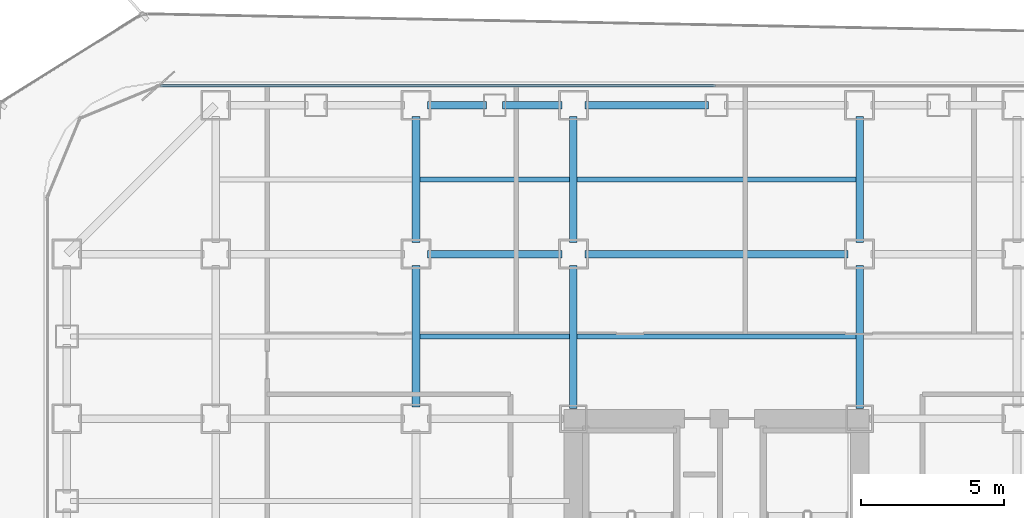
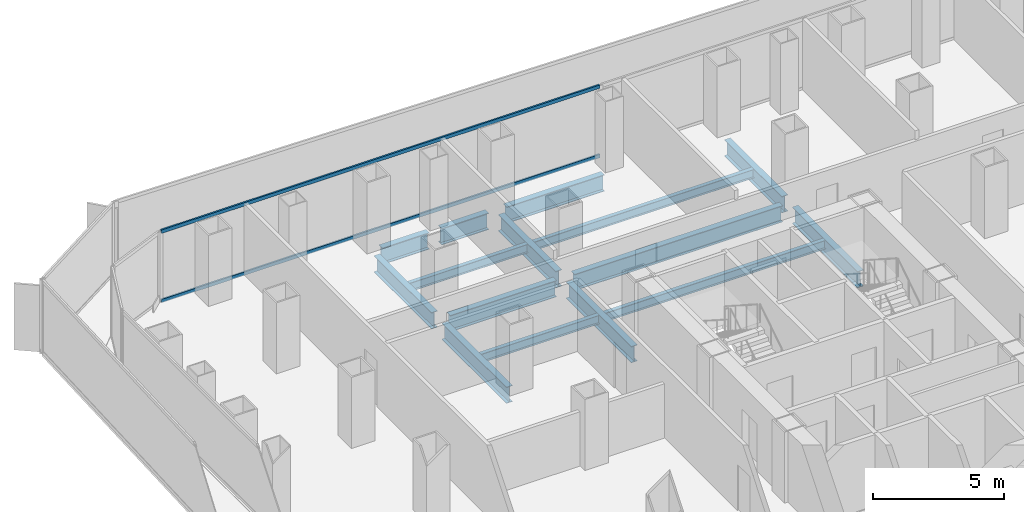
# One storey, part 12 of 22: 15 beams, 2 members, 1 element without a shape of its own.
"""IFC4 building model written with IfcOpenShell, lengths in metres."""

from ifc_helpers import new_model, si_unit, direction, frame, origin, origin_2d, place, context, subcontext, project, spatial, hollow_rectangle, i_section, extrude, source, transform, mapped, material, layer, layer_set, material_profile, profile_set, type_object, element, aggregate, save


model = new_model("IFC4")

# Units and contexts
model_context = context("Model", 3, precision=1e-05, world=origin(), true_north=direction((0.0, 1.0)))
body_context = subcontext(model_context, "Body", "Model", "MODEL_VIEW")
ifc_project = project(units=[si_unit("LENGTHUNIT", "METRE"), si_unit("AREAUNIT", "SQUARE_METRE"), si_unit("VOLUMEUNIT", "CUBIC_METRE"), si_unit("PLANEANGLEUNIT", "RADIAN"), si_unit("MASSUNIT", "GRAM", prefix="KILO")], contexts=[model_context])

# Site, building, storey
site_placement = place(None, origin())
site = spatial("IfcSite", under=ifc_project, at=site_placement, CompositionType="ELEMENT")
building_placement = place(site_placement, origin())
building = spatial("IfcBuilding", under=site, at=building_placement, Name="Kolveth Station Tower", CompositionType="ELEMENT")
storey_placement = place(building_placement, frame((0.0, 0.0, 69.300048828125)))
storey = spatial("IfcBuildingStorey", under=building, at=storey_placement, Name="L18", CompositionType="ELEMENT", Elevation=69.300048828125)

# Beams
ifc_material_1 = material(Name="Steel S355", Category="steel")
ifc_material_profile_1 = material_profile(ifc_material_1, i_section(OverallWidth=0.26904296875, OverallDepth=0.77490234375, WebThickness=0.01708984375, FlangeThickness=0.0283203125, at=origin_2d()), Name="W760x220")
ifc_profile_set_1 = profile_set([ifc_material_profile_1], Name="Steel S355")
beam_type_1 = type_object("IfcBeamType", Name="Beam_SP1", PredefinedType="SPANDREL", material=ifc_profile_set_1)
shared_shape_1 = source(origin(), body_context, "Body", "SweptSolid", [
    extrude(i_section(OverallWidth=0.26904296875, OverallDepth=0.77490234375, WebThickness=0.01708984375, FlangeThickness=0.0283203125, at=origin_2d()), origin(), (0.0, 0.0, 1.0), 2.070068359375),
])
for number, where, z_axis, x_axis, name in (
    (1, (13.39990234375, 39.699951171875, -0.66748046875), (1.0, 0.0, 0.0), (0.0, 1.0, 0.0), "L18 Perimeter Spandrel BM-L18-PN-3"),
    (2, (16.030029296875, 39.699951171875, -0.66748046875), (1.0, 0.0, 0.0), (0.0, 1.0, 0.0), "L18 Perimeter Spandrel BM-L18-PN-4"),
):
    element("IfcBeam", number, at=place(storey_placement, frame(where, z_axis=z_axis, x_axis=x_axis)), inside=storey, type_object=beam_type_1, Name=name, PredefinedType="SPANDREL", context=body_context, shape_type="MappedRepresentation", body=[
        mapped(shared_shape_1, transform((0.0, 0.0, 0.0), x_axis=(1.0, 0.0, 0.0), y_axis=(0.0, 1.0, 0.0), z_axis=(0.0, 0.0, 1.0), scale=1.0)),
    ])
shared_shape_2 = source(origin(), body_context, "Body", "SweptSolid", [
    extrude(i_section(OverallWidth=0.26904296875, OverallDepth=0.77490234375, WebThickness=0.01708984375, FlangeThickness=0.0283203125, at=origin_2d()), origin(), (0.0, 0.0, 1.0), 4.320068359375),
])
beam_1_placement = place(storey_placement, frame((18.89990234375, 39.699951171875, -0.66748046875), z_axis=(1.0, 0.0, 0.0), x_axis=(0.0, 1.0, 0.0)))
element("IfcBeam", 3, at=beam_1_placement, inside=storey, type_object=beam_type_1, Name="L18 Perimeter Spandrel BM-L18-PN-5", PredefinedType="SPANDREL", context=body_context, shape_type="MappedRepresentation", body=[
    mapped(shared_shape_2, transform((0.0, 0.0, 0.0), x_axis=(1.0, 0.0, 0.0), y_axis=(0.0, 1.0, 0.0), z_axis=(0.0, 0.0, 1.0), scale=1.0)),
])
ifc_material_profile_2 = material_profile(ifc_material_1, i_section(OverallWidth=0.26708984375, OverallDepth=0.76611328125, WebThickness=0.014892578125, FlangeThickness=0.023681640625, at=origin_2d()), Name="W760x185")
ifc_profile_set_2 = profile_set([ifc_material_profile_2], Name="Steel S355")
beam_type_2 = type_object("IfcBeamType", Name="Beam_B3", PredefinedType="BEAM", material=ifc_profile_set_2)
shared_shape_3 = source(origin(), body_context, "Body", "SweptSolid", [
    extrude(i_section(OverallWidth=0.26708984375, OverallDepth=0.76611328125, WebThickness=0.014892578125, FlangeThickness=0.023681640625, at=origin_2d()), origin(), (0.0, 0.0, 1.0), 4.400146484375),
])
for number, where, z_axis, x_axis, name in (
    (4, (13.0, 34.89990234375, -0.6630859375), (0.0, 1.0, 0.0), (-1.0, 0.0, 0.0), "L18 Primary Girder BM-L18-GX130-7"),
    (5, (18.5, 34.89990234375, -0.6630859375), (0.0, 1.0, 0.0), (-1.0, 0.0, 0.0), "L18 Primary Girder BM-L18-GX185-7"),
    (6, (28.5, 34.89990234375, -0.6630859375), (0.0, 1.0, 0.0), (-1.0, 0.0, 0.0), "L18 Primary Girder BM-L18-GX285-7"),
):
    element("IfcBeam", number, at=place(storey_placement, frame(where, z_axis=z_axis, x_axis=x_axis)), inside=storey, type_object=beam_type_2, Name=name, PredefinedType="BEAM", context=body_context, shape_type="MappedRepresentation", body=[
        mapped(shared_shape_3, transform((0.0, 0.0, 0.0), x_axis=(1.0, 0.0, 0.0), y_axis=(0.0, 1.0, 0.0), z_axis=(0.0, 0.0, 1.0), scale=1.0)),
    ])
shared_shape_4 = source(origin(), body_context, "Body", "SweptSolid", [
    extrude(i_section(OverallWidth=0.26708984375, OverallDepth=0.76611328125, WebThickness=0.014892578125, FlangeThickness=0.023681640625, at=origin_2d()), origin(), (0.0, 0.0, 1.0), 4.7001953125),
])
beam_2_placement = place(storey_placement, frame((13.39990234375, 34.5, -0.6630859375), z_axis=(1.0, 0.0, 0.0), x_axis=(0.0, 1.0, 0.0)))
element("IfcBeam", 7, at=beam_2_placement, inside=storey, type_object=beam_type_2, Name="L18 Primary Girder BM-L18-GY345-3", PredefinedType="BEAM", context=body_context, shape_type="MappedRepresentation", body=[
    mapped(shared_shape_4, transform((0.0, 0.0, 0.0), x_axis=(1.0, 0.0, 0.0), y_axis=(0.0, 1.0, 0.0), z_axis=(0.0, 0.0, 1.0), scale=1.0)),
])
shared_shape_5 = source(origin(), body_context, "Body", "SweptSolid", [
    extrude(i_section(OverallWidth=0.26708984375, OverallDepth=0.76611328125, WebThickness=0.014892578125, FlangeThickness=0.023681640625, at=origin_2d()), origin(), (0.0, 0.0, 1.0), 9.2001953125),
])
beam_3_placement = place(storey_placement, frame((18.89990234375, 34.5, -0.6630859375), z_axis=(1.0, 0.0, 0.0), x_axis=(0.0, 1.0, 0.0)))
element("IfcBeam", 8, at=beam_3_placement, inside=storey, type_object=beam_type_2, Name="L18 Primary Girder BM-L18-GY345-4", PredefinedType="BEAM", context=body_context, shape_type="MappedRepresentation", body=[
    mapped(shared_shape_5, transform((0.0, 0.0, 0.0), x_axis=(1.0, 0.0, 0.0), y_axis=(0.0, 1.0, 0.0), z_axis=(0.0, 0.0, 1.0), scale=1.0)),
])
shared_shape_6 = source(origin(), body_context, "Body", "SweptSolid", [
    extrude(i_section(OverallWidth=0.26708984375, OverallDepth=0.76611328125, WebThickness=0.014892578125, FlangeThickness=0.023681640625, at=origin_2d()), origin(), (0.0, 0.0, 1.0), 4.9501953125),
])
beam_4_placement = place(storey_placement, frame((13.0, 29.14990234375, -0.6630859375), z_axis=(0.0, 1.0, 0.0), x_axis=(-1.0, 0.0, 0.0)))
element("IfcBeam", 9, at=beam_4_placement, inside=storey, type_object=beam_type_2, Name="L18 Primary Girder BM-L18-GX130-6", PredefinedType="BEAM", context=body_context, shape_type="MappedRepresentation", body=[
    mapped(shared_shape_6, transform((0.0, 0.0, 0.0), x_axis=(1.0, 0.0, 0.0), y_axis=(0.0, 1.0, 0.0), z_axis=(0.0, 0.0, 1.0), scale=1.0)),
])
shared_shape_7 = source(origin(), body_context, "Body", "SweptSolid", [
    extrude(i_section(OverallWidth=0.26708984375, OverallDepth=0.76611328125, WebThickness=0.014892578125, FlangeThickness=0.023681640625, at=origin_2d()), origin(), (0.0, 0.0, 1.0), 4.989990234375),
])
for number, where, z_axis, x_axis, name in (
    (10, (18.5, 29.110107421875, -0.6630859375), (0.0, 1.0, 0.0), (-1.0, 0.0, 0.0), "L18 Primary Girder BM-L18-GX185-6"),
    (11, (28.5, 29.110107421875, -0.6630859375), (0.0, 1.0, 0.0), (-1.0, 0.0, 0.0), "L18 Primary Girder BM-L18-GX285-6"),
):
    element("IfcBeam", number, at=place(storey_placement, frame(where, z_axis=z_axis, x_axis=x_axis)), inside=storey, type_object=beam_type_2, Name=name, PredefinedType="BEAM", context=body_context, shape_type="MappedRepresentation", body=[
        mapped(shared_shape_7, transform((0.0, 0.0, 0.0), x_axis=(1.0, 0.0, 0.0), y_axis=(0.0, 1.0, 0.0), z_axis=(0.0, 0.0, 1.0), scale=1.0)),
    ])
ifc_material_profile_3 = material_profile(ifc_material_1, i_section(OverallWidth=0.177978515625, OverallDepth=0.406982421875, WebThickness=0.0078125, FlangeThickness=0.0126953125, at=origin_2d()), Name="W410x60")
ifc_profile_set_3 = profile_set([ifc_material_profile_3], Name="Steel S355")
beam_type_3 = type_object("IfcBeamType", Name="Beam_J1", PredefinedType="JOIST", material=ifc_profile_set_3)
shared_shape_8 = source(origin(), body_context, "Body", "SweptSolid", [
    extrude(i_section(OverallWidth=0.177978515625, OverallDepth=0.406982421875, WebThickness=0.0078125, FlangeThickness=0.0126953125, at=origin_2d()), origin(), (0.0, 0.0, 1.0), 5.23681640625),
])
for number, where, z_axis, x_axis, name in (
    (12, (13.131591796875, 31.625, -0.483642578125), (1.0, 0.0, 0.0), (0.0, 1.0, 0.0), "L18 Secondary Joist JST-L18-3-6"),
    (13, (13.131591796875, 37.10009765625, -0.483642578125), (1.0, 0.0, 0.0), (0.0, 1.0, 0.0), "L18 Secondary Joist JST-L18-3-7"),
):
    element("IfcBeam", number, at=place(storey_placement, frame(where, z_axis=z_axis, x_axis=x_axis)), inside=storey, type_object=beam_type_3, Name=name, PredefinedType="JOIST", context=body_context, shape_type="MappedRepresentation", body=[
        mapped(shared_shape_8, transform((0.0, 0.0, 0.0), x_axis=(1.0, 0.0, 0.0), y_axis=(0.0, 1.0, 0.0), z_axis=(0.0, 0.0, 1.0), scale=1.0)),
    ])
shared_shape_9 = source(origin(), body_context, "Body", "SweptSolid", [
    extrude(i_section(OverallWidth=0.177978515625, OverallDepth=0.406982421875, WebThickness=0.0078125, FlangeThickness=0.0126953125, at=origin_2d()), origin(), (0.0, 0.0, 1.0), 9.73681640625),
])
for number, where, z_axis, x_axis, name in (
    (14, (18.631591796875, 31.625, -0.483642578125), (1.0, 0.0, 0.0), (0.0, 1.0, 0.0), "L18 Secondary Joist JST-L18-4-6"),
    (15, (18.631591796875, 37.10009765625, -0.483642578125), (1.0, 0.0, 0.0), (0.0, 1.0, 0.0), "L18 Secondary Joist JST-L18-4-7"),
):
    element("IfcBeam", number, at=place(storey_placement, frame(where, z_axis=z_axis, x_axis=x_axis)), inside=storey, type_object=beam_type_3, Name=name, PredefinedType="JOIST", context=body_context, shape_type="MappedRepresentation", body=[
        mapped(shared_shape_9, transform((0.0, 0.0, 0.0), x_axis=(1.0, 0.0, 0.0), y_axis=(0.0, 1.0, 0.0), z_axis=(0.0, 0.0, 1.0), scale=1.0)),
    ])

# Curtain wall, members
ifc_material_2 = material(Name="Aluminium 6063-T6 and low-E dark glass", Category="aluminium")
ifc_layer = layer(ifc_material_2, 0.179931640625)
ifc_layer_set = layer_set([ifc_layer], Name="Aluminium 6063-T6 and low-E dark glass")
curtain_wall_type = type_object("IfcCurtainWallType", Name="CurtainWall_CW-Z1", PredefinedType="NOTDEFINED", material=ifc_layer_set)
curtain_wall_placement = place(storey_placement, origin())
curtain_wall = element("IfcCurtainWall", 16, at=curtain_wall_placement, inside=storey, type_object=curtain_wall_type, Name="L18 Inner Thermal Curtain Wall 6", PredefinedType="NOTDEFINED")
ifc_material_3 = material(Name="Black anodized aluminium 6063-T6", Category="aluminium")
ifc_material_profile_4 = material_profile(ifc_material_3, hollow_rectangle(XDim=0.074951171875, YDim=0.159912109375, WallThickness=0.0048828125, at=origin_2d()), Name="ALU-75x160x5")
ifc_profile_set_4 = profile_set([ifc_material_profile_4], Name="Black anodized aluminium 6063-T6")
member_type = type_object("IfcMemberType", Name="Transom_TR1", PredefinedType="USERDEFINED", material=ifc_profile_set_4)
shared_shape_10 = source(origin(), body_context, "Body", "SweptSolid", [
    extrude(hollow_rectangle(XDim=0.074951171875, YDim=0.159912109375, WallThickness=0.0048828125, at=origin_2d()), origin(), (0.0, 0.0, 1.0), 19.387451171875),
])
member_1_placement = place(storey_placement, frame((23.46240234375, 40.3798828125, 0.037353515625), z_axis=(-1.0, 0.0, 0.0), x_axis=(0.0, -1.0, 0.0)))
member_1 = element("IfcMember", 17, at=member_1_placement, type_object=member_type, Name="CW-Z1 transom 2.1", ObjectType="TRANSOM", PredefinedType="USERDEFINED", context=body_context, shape_type="MappedRepresentation", body=[
    mapped(shared_shape_10, transform((0.0, 0.0, 0.0), x_axis=(1.0, 0.0, 0.0), y_axis=(0.0, 1.0, 0.0), z_axis=(0.0, 0.0, 1.0), scale=1.0)),
])
member_2_placement = place(storey_placement, frame((23.46240234375, 40.3798828125, 3.282470703125), z_axis=(-1.0, 0.0, 0.0), x_axis=(0.0, -1.0, 0.0)))
member_2 = element("IfcMember", 18, at=member_2_placement, type_object=member_type, Name="CW-Z1 transom 2.2", ObjectType="TRANSOM", PredefinedType="USERDEFINED", context=body_context, shape_type="MappedRepresentation", body=[
    mapped(shared_shape_10, transform((0.0, 0.0, 0.0), x_axis=(1.0, 0.0, 0.0), y_axis=(0.0, 1.0, 0.0), z_axis=(0.0, 0.0, 1.0), scale=1.0)),
])
aggregate(curtain_wall, [member_1, member_2])

save(model, "model.ifc")
